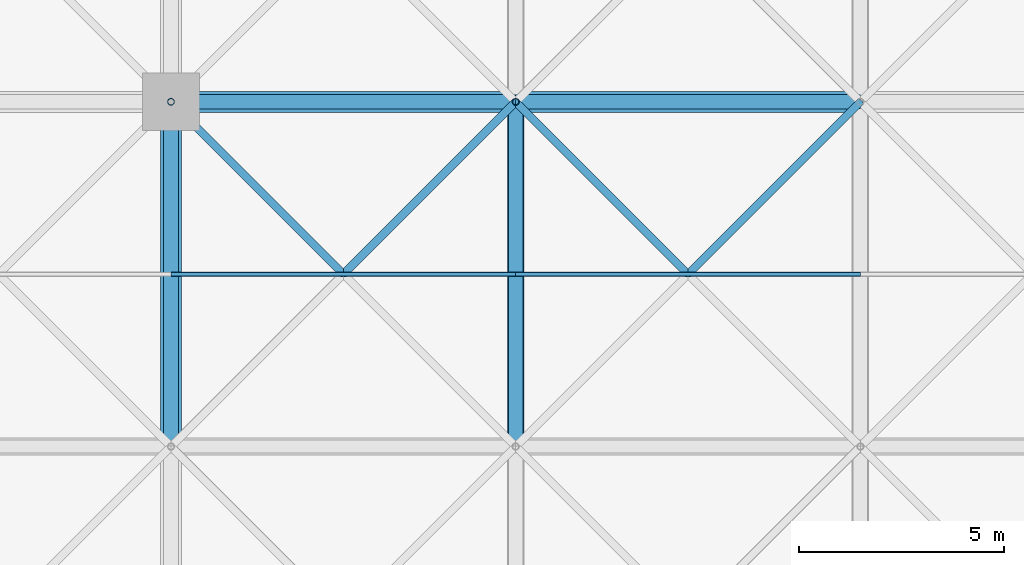
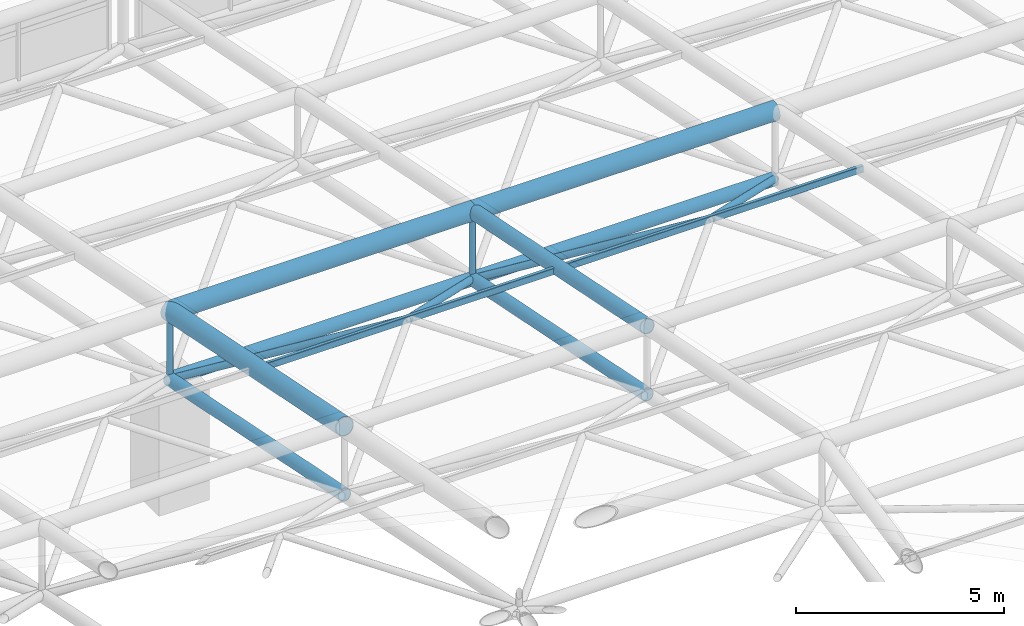
# One storey, part 47 of 110: 16 members.
"""IFC4 building model written with IfcOpenShell, lengths in metres."""

from ifc_helpers import new_model, si_unit, direction, frame, origin, origin_2d, place, context, subcontext, project, spatial, hollow_rectangle, hollow_circle, extrude, material, material_profile, profile_set, type_object, element, save


model = new_model("IFC4")

# Units and contexts
model_context = context("Model", 3, precision=1e-05, world=origin(), true_north=direction((0.0, 1.0)))
body_context = subcontext(model_context, "Body", "Model", "MODEL_VIEW")
ifc_project = project(units=[si_unit("LENGTHUNIT", "METRE"), si_unit("AREAUNIT", "SQUARE_METRE"), si_unit("VOLUMEUNIT", "CUBIC_METRE"), si_unit("PLANEANGLEUNIT", "RADIAN"), si_unit("MASSUNIT", "GRAM", prefix="KILO")], contexts=[model_context])

# Site, building, storey
site_placement = place(None, origin())
site = spatial("IfcSite", under=ifc_project, at=site_placement, CompositionType="ELEMENT")
building_placement = place(site_placement, origin())
building = spatial("IfcBuilding", under=site, at=building_placement, Name="Qawsi Khor Wholesale Market", CompositionType="ELEMENT")
storey_placement = place(building_placement, frame((0.0, 0.0, 11.39990234375)))
storey = spatial("IfcBuildingStorey", under=building, at=storey_placement, Name="L02", CompositionType="ELEMENT", Elevation=11.39990234375)

# Members
ifc_material = material(Name="Steel S355", Category="steel")
ifc_material_profile_1 = material_profile(ifc_material, hollow_circle(Radius=0.177734375, WallThickness=0.01611328125, at=origin_2d()), Name="CHS 355.6x16.0")
ifc_profile_set_1 = profile_set([ifc_material_profile_1], Name="Steel S355")
member_type_1 = type_object("IfcMemberType", Name="Space-Frame Bottom Chord CHS 355.6x16.0", PredefinedType="CHORD", material=ifc_profile_set_1)
member_1_placement = place(storey_placement, frame((159.60009765625, 84.0, 5.070068359375), z_axis=(0.0, 0.980129990483, -0.1983562496), x_axis=(-1.0, 0.0, 0.0)))
element("IfcMember", 1, at=member_1_placement, inside=storey, type_object=member_type_1, Name="Space frame bottom chord Y EH (19,10)", PredefinedType="CHORD", context=body_context, shape_type="SweptSolid", body=[
    extrude(hollow_circle(Radius=0.177734375, WallThickness=0.01611328125, at=origin_2d()), origin(), (0.0, 0.0, 1.0), 8.5703125),
])
member_2_placement = place(storey_placement, frame((159.60009765625, 92.39990234375, 3.3701171875), z_axis=(1.0, 0.0, 0.0), x_axis=(0.0, 1.0, 0.0)))
element("IfcMember", 2, at=member_2_placement, inside=storey, type_object=member_type_1, Name="Space frame bottom chord X EH (19,11)", PredefinedType="CHORD", context=body_context, shape_type="SweptSolid", body=[
    extrude(hollow_circle(Radius=0.177734375, WallThickness=0.01611328125, at=origin_2d()), origin(), (0.0, 0.0, 1.0), 8.39990234375),
])
member_3_placement = place(storey_placement, frame((168.0, 84.0, 5.070068359375), z_axis=(0.0, 0.980129990483, -0.1983562496), x_axis=(-1.0, 0.0, 0.0)))
element("IfcMember", 3, at=member_3_placement, inside=storey, type_object=member_type_1, Name="Space frame bottom chord Y EH (20,10)", PredefinedType="CHORD", context=body_context, shape_type="SweptSolid", body=[
    extrude(hollow_circle(Radius=0.177734375, WallThickness=0.01611328125, at=origin_2d()), origin(), (0.0, 0.0, 1.0), 8.5703125),
])
member_4_placement = place(storey_placement, frame((168.0, 92.39990234375, 3.3701171875), z_axis=(1.0, 0.0, 0.0), x_axis=(0.0, 1.0, 0.0)))
element("IfcMember", 4, at=member_4_placement, inside=storey, type_object=member_type_1, Name="Space frame bottom chord X EH (20,11)", PredefinedType="CHORD", context=body_context, shape_type="SweptSolid", body=[
    extrude(hollow_circle(Radius=0.177734375, WallThickness=0.01611328125, at=origin_2d()), origin(), (0.0, 0.0, 1.0), 8.39990234375),
])
ifc_material_profile_2 = material_profile(ifc_material, hollow_circle(Radius=0.25390625, WallThickness=0.02490234375, at=origin_2d()), Name="CHS 508.0x25.0")
ifc_profile_set_2 = profile_set([ifc_material_profile_2], Name="Steel S355")
member_type_2 = type_object("IfcMemberType", Name="Space-Frame Main Chord CHS 508.0x25.0", PredefinedType="CHORD", material=ifc_profile_set_2)
member_5_placement = place(storey_placement, frame((159.60009765625, 84.0, 7.070068359375), z_axis=(0.0, 0.980129990483, -0.1983562496), x_axis=(-1.0, 0.0, 0.0)))
element("IfcMember", 5, at=member_5_placement, inside=storey, type_object=member_type_2, Name="Space frame top chord Y EH (19,10)", PredefinedType="CHORD", context=body_context, shape_type="SweptSolid", body=[
    extrude(hollow_circle(Radius=0.25390625, WallThickness=0.02490234375, at=origin_2d()), origin(), (0.0, 0.0, 1.0), 8.5703125),
])
for number, where, z_axis, x_axis, name in (
    (6, (159.60009765625, 92.39990234375, 5.3701171875), (1.0, 0.0, 0.0), (0.0, 1.0, 0.0), "Space frame top chord X EH (19,11)"),
    (7, (168.0, 92.39990234375, 5.3701171875), (1.0, 0.0, 0.0), (0.0, 1.0, 0.0), "Space frame top chord X EH (20,11)"),
):
    element("IfcMember", number, at=place(storey_placement, frame(where, z_axis=z_axis, x_axis=x_axis)), inside=storey, type_object=member_type_2, Name=name, PredefinedType="CHORD", context=body_context, shape_type="SweptSolid", body=[
        extrude(hollow_circle(Radius=0.25390625, WallThickness=0.02490234375, at=origin_2d()), origin(), (0.0, 0.0, 1.0), 8.39990234375),
    ])
ifc_material_profile_3 = material_profile(ifc_material, hollow_rectangle(XDim=0.10009765625, YDim=0.199951171875, WallThickness=0.008056640625, InnerFilletRadius=0.008056640625, OuterFilletRadius=0.01611328125, at=origin_2d()), Name="RHS 200x100x8.0")
ifc_profile_set_3 = profile_set([ifc_material_profile_3], Name="Steel S355")
member_type_3 = type_object("IfcMemberType", Name="Space-Frame Purlin RHS 200x100x8.0", PredefinedType="PURLIN", material=ifc_profile_set_3)
for number, where, z_axis, x_axis, name in (
    (8, (159.60009765625, 88.199951171875, 6.22021484375), (1.0, 0.0, 0.0), (0.0, 1.0, 0.0), "Space frame purlin EH (19,10)"),
    (9, (168.0, 88.199951171875, 6.22021484375), (1.0, 0.0, 0.0), (0.0, 1.0, 0.0), "Space frame purlin EH (20,10)"),
):
    element("IfcMember", number, at=place(storey_placement, frame(where, z_axis=z_axis, x_axis=x_axis)), inside=storey, type_object=member_type_3, Name=name, PredefinedType="PURLIN", context=body_context, shape_type="SweptSolid", body=[
        extrude(hollow_rectangle(XDim=0.10009765625, YDim=0.199951171875, WallThickness=0.008056640625, InnerFilletRadius=0.008056640625, OuterFilletRadius=0.01611328125, at=origin_2d()), origin(), (0.0, 0.0, 1.0), 8.39990234375),
    ])
ifc_material_profile_4 = material_profile(ifc_material, hollow_circle(Radius=0.096923828125, WallThickness=0.008056640625, at=origin_2d()), Name="CHS 193.7x8.0")
ifc_profile_set_4 = profile_set([ifc_material_profile_4], Name="Steel S355")
member_type_4 = type_object("IfcMemberType", Name="Space-Frame Secondary Diagonal CHS 193.7x8.0", PredefinedType="RAFTER", material=ifc_profile_set_4)
for number, where, z_axis, x_axis, name in (
    (10, (168.0, 92.39990234375, 3.3701171875), (-0.637511741089, -0.637511741089, 0.432617105474), (0.707106781187, -0.707106781187, 0.0), "Space frame diagonal EH (19,10)-3"),
    (11, (159.60009765625, 92.39990234375, 3.3701171875), (0.637511741089, -0.637511741089, 0.432617105474), (0.707106781187, 0.707106781187, 0.0), "Space frame diagonal EH (19,10)-4"),
    (12, (176.39990234375, 92.39990234375, 3.3701171875), (-0.637511741089, -0.637511741089, 0.432617105474), (0.707106781187, -0.707106781187, 0.0), "Space frame diagonal EH (20,10)-3"),
    (13, (168.0, 92.39990234375, 3.3701171875), (0.637511741089, -0.637511741089, 0.432617105474), (0.707106781187, 0.707106781187, 0.0), "Space frame diagonal EH (20,10)-4"),
):
    element("IfcMember", number, at=place(storey_placement, frame(where, z_axis=z_axis, x_axis=x_axis)), inside=storey, type_object=member_type_4, Name=name, PredefinedType="RAFTER", context=body_context, shape_type="SweptSolid", body=[
        extrude(hollow_circle(Radius=0.096923828125, WallThickness=0.008056640625, at=origin_2d()), origin(), (0.0, 0.0, 1.0), 6.588134765625),
    ])
ifc_material_profile_5 = material_profile(ifc_material, hollow_circle(Radius=0.203125, WallThickness=0.02001953125, at=origin_2d()), Name="CHS 406.4x20.0")
ifc_profile_set_5 = profile_set([ifc_material_profile_5], Name="Steel S355")
member_type_5 = type_object("IfcMemberType", Name="Space-Frame Top Chord CHS 406.4x20.0", PredefinedType="CHORD", material=ifc_profile_set_5)
member_6_placement = place(storey_placement, frame((168.0, 84.0, 7.070068359375), z_axis=(0.0, 0.980129990483, -0.1983562496), x_axis=(-1.0, 0.0, 0.0)))
element("IfcMember", 14, at=member_6_placement, inside=storey, type_object=member_type_5, Name="Space frame top chord Y EH (20,10)", PredefinedType="CHORD", context=body_context, shape_type="SweptSolid", body=[
    extrude(hollow_circle(Radius=0.203125, WallThickness=0.02001953125, at=origin_2d()), origin(), (0.0, 0.0, 1.0), 8.5703125),
])
ifc_material_profile_6 = material_profile(ifc_material, hollow_circle(Radius=0.084228515625, WallThickness=0.008056640625, at=origin_2d()), Name="CHS 168.3x8.0")
ifc_profile_set_6 = profile_set([ifc_material_profile_6], Name="Steel S355")
member_type_6 = type_object("IfcMemberType", Name="Space-Frame Vertical Strut CHS 168.3x8.0", PredefinedType="STRUT", material=ifc_profile_set_6)
for number, where, z_axis, x_axis, name in (
    (15, (159.60009765625, 92.39990234375, 3.3701171875), (0.0, 0.0, 1.0), (1.0, 0.0, 0.0), "Space frame post EH (19,11)"),
    (16, (168.0, 92.39990234375, 3.3701171875), (0.0, 0.0, 1.0), (1.0, 0.0, 0.0), "Space frame post EH (20,11)"),
):
    element("IfcMember", number, at=place(storey_placement, frame(where, z_axis=z_axis, x_axis=x_axis)), inside=storey, type_object=member_type_6, Name=name, PredefinedType="STRUT", context=body_context, shape_type="SweptSolid", body=[
        extrude(hollow_circle(Radius=0.084228515625, WallThickness=0.008056640625, at=origin_2d()), origin(), (0.0, 0.0, 1.0), 2.0),
    ])

save(model, "model.ifc")
